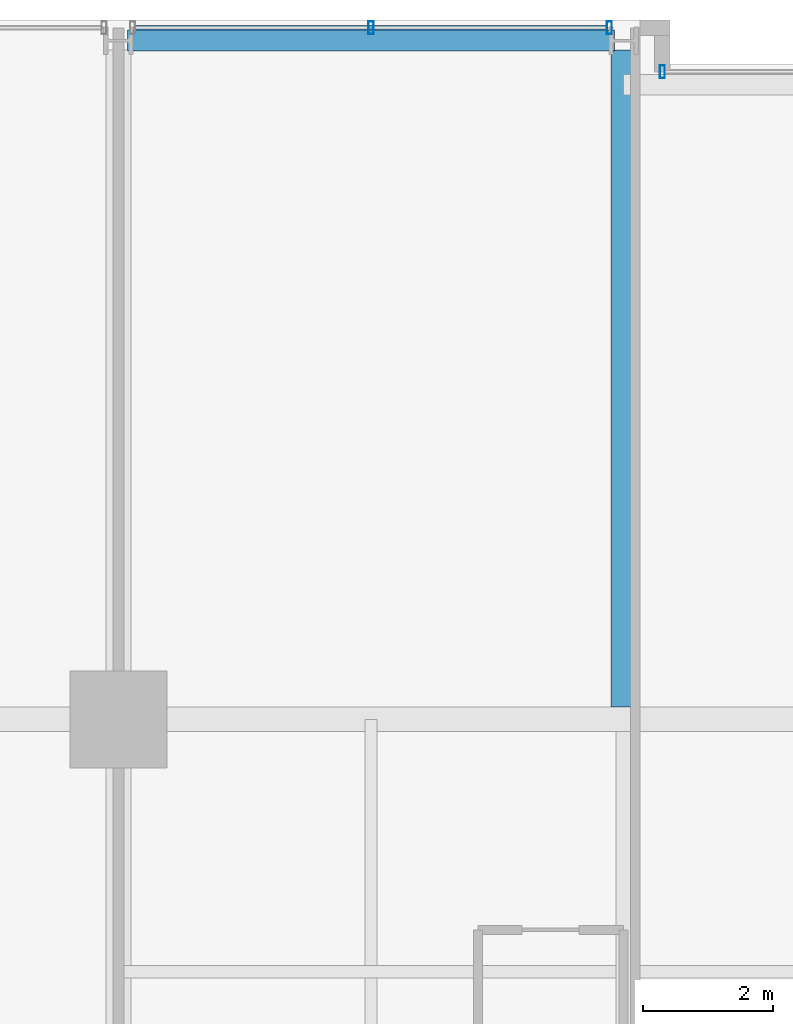
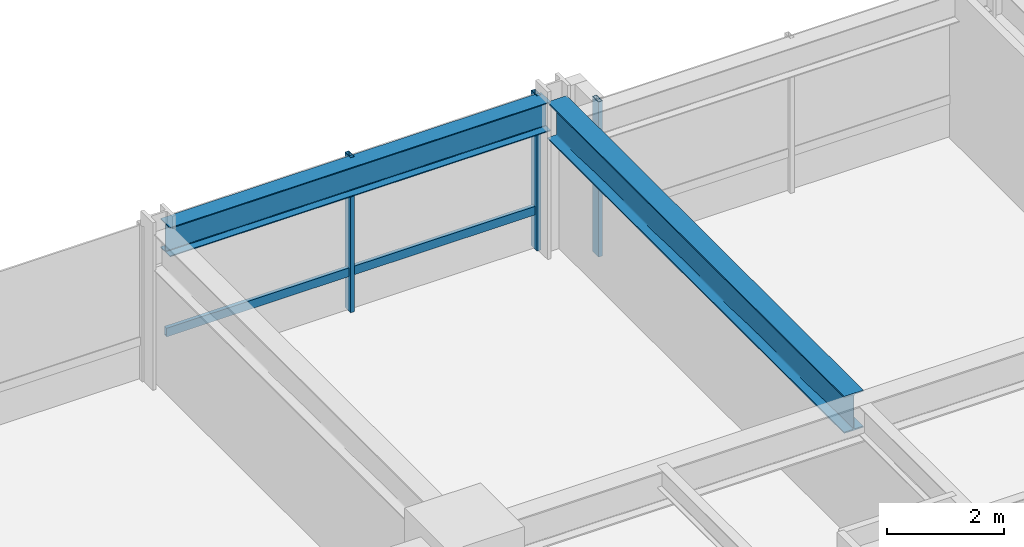
# One storey, part 21 of 34: 4 members, 2 beams, 2 elements without a shape of their own.
"""IFC4 building model written with IfcOpenShell, lengths in metres."""

from ifc_helpers import new_model, si_unit, direction, frame, origin, origin_2d, place, context, subcontext, project, spatial, hollow_rectangle, i_section, extrude, material, layer, layer_set, material_profile, profile_set, type_object, element, aggregate, save


model = new_model("IFC4")

# Units and contexts
model_context = context("Model", 3, precision=1e-05, world=origin(), true_north=direction((0.0, 1.0)))
body_context = subcontext(model_context, "Body", "Model", "MODEL_VIEW")
ifc_project = project(units=[si_unit("LENGTHUNIT", "METRE"), si_unit("AREAUNIT", "SQUARE_METRE"), si_unit("VOLUMEUNIT", "CUBIC_METRE"), si_unit("PLANEANGLEUNIT", "RADIAN"), si_unit("MASSUNIT", "GRAM", prefix="KILO")], contexts=[model_context])

# Site, building, storey
site_placement = place(None, origin())
site = spatial("IfcSite", under=ifc_project, at=site_placement, CompositionType="ELEMENT")
building_placement = place(site_placement, origin())
building = spatial("IfcBuilding", under=site, at=building_placement, Name="Drelvath Grand Hotel", CompositionType="ELEMENT")
storey_placement = place(building_placement, frame((0.0, 0.0, 109.300048828125)))
storey = spatial("IfcBuildingStorey", under=building, at=storey_placement, Name="L27", CompositionType="ELEMENT", Elevation=109.300048828125)

# Curtain wall, members
ifc_material_1 = material(Name="Champagne Bronze Anodised Aluminium Frame", Category="aluminium")
ifc_layer = layer(ifc_material_1, 0.199951171875)
ifc_layer_set = layer_set([ifc_layer], Name="Champagne Bronze Anodised Aluminium Frame")
curtain_wall_type = type_object("IfcCurtainWallType", Name="Stick Curtain Wall CW-03 Champagne Bronze Mid-Rise", PredefinedType="NOTDEFINED", material=ifc_layer_set)
curtain_wall_1_placement = place(storey_placement, origin())
curtain_wall_1 = element("IfcCurtainWall", 1, at=curtain_wall_1_placement, inside=storey, type_object=curtain_wall_type, Name="L27 CW-03 Curtain Wall CW03-L27-NW2", PredefinedType="NOTDEFINED")
ifc_material_profile_1 = material_profile(ifc_material_1, hollow_rectangle(XDim=0.074951171875, YDim=0.179931640625, WallThickness=0.0048828125, at=origin_2d()), Name="HSS180X75X5")
ifc_profile_set_1 = profile_set([ifc_material_profile_1], Name="Champagne Bronze Anodised Aluminium Frame")
member_type_1 = type_object("IfcMemberType", Name="Curtain Wall Horizontal Transom CW-03 HSS180X75X5", PredefinedType="USERDEFINED", material=ifc_profile_set_1)
member_1_placement = place(storey_placement, frame((-15.9404296875, 53.8798828125, 0.81005859375), z_axis=(1.0, 0.0, 0.0), x_axis=(0.0, 1.0, 0.0)))
member_1 = element("IfcMember", 2, at=member_1_placement, type_object=member_type_1, Name="CW03-L27-NW2 Sill Transom", ObjectType="TRANSOM", PredefinedType="USERDEFINED", context=body_context, shape_type="SweptSolid", body=[
    extrude(hollow_rectangle(XDim=0.074951171875, YDim=0.179931640625, WallThickness=0.0048828125, at=origin_2d()), origin(), (0.0, 0.0, 1.0), 7.28076171875),
])
ifc_material_profile_2 = material_profile(ifc_material_1, hollow_rectangle(XDim=0.080078125, YDim=0.199951171875, WallThickness=0.0048828125, at=origin_2d()), Name="HSS200X80X5")
ifc_profile_set_2 = profile_set([ifc_material_profile_2], Name="Champagne Bronze Anodised Aluminium Frame")
member_type_2 = type_object("IfcMemberType", Name="Curtain Wall Vertical Mullion CW-03 HSS200X80X5", PredefinedType="MULLION", material=ifc_profile_set_2)
member_2_placement = place(storey_placement, frame((-12.300048828125, 53.8798828125, 0.0), z_axis=(0.0, 0.0, 1.0), x_axis=(1.0, 0.0, 0.0)))
member_2 = element("IfcMember", 3, at=member_2_placement, type_object=member_type_2, Name="CW03-L27-NW2 Mullion 2", PredefinedType="MULLION", context=body_context, shape_type="SweptSolid", body=[
    extrude(hollow_rectangle(XDim=0.080078125, YDim=0.199951171875, WallThickness=0.0048828125, at=origin_2d()), origin(), (0.0, 0.0, 1.0), 3.239990234375),
])
member_3_placement = place(storey_placement, frame((-8.61962890625, 53.8798828125, 0.0), z_axis=(0.0, 0.0, 1.0), x_axis=(1.0, 0.0, 0.0)))
member_3 = element("IfcMember", 4, at=member_3_placement, type_object=member_type_2, Name="CW03-L27-NW2 Mullion 3", PredefinedType="MULLION", context=body_context, shape_type="SweptSolid", body=[
    extrude(hollow_rectangle(XDim=0.080078125, YDim=0.199951171875, WallThickness=0.0048828125, at=origin_2d()), origin(), (0.0, 0.0, 1.0), 3.239990234375),
])
aggregate(curtain_wall_1, [member_2, member_3, member_1])

# Curtain wall, member
curtain_wall_2_placement = place(storey_placement, origin())
curtain_wall_2 = element("IfcCurtainWall", 5, at=curtain_wall_2_placement, inside=storey, type_object=curtain_wall_type, Name="L27 CW-03 Curtain Wall CW03-L27-NM1", PredefinedType="NOTDEFINED")
member_4_placement = place(storey_placement, frame((-7.800048828125, 53.199951171875, 0.0), z_axis=(0.0, 0.0, 1.0), x_axis=(1.0, 0.0, 0.0)))
member_4 = element("IfcMember", 6, at=member_4_placement, type_object=member_type_2, Name="CW03-L27-NM1 Mullion 1", PredefinedType="MULLION", context=body_context, shape_type="SweptSolid", body=[
    extrude(hollow_rectangle(XDim=0.080078125, YDim=0.199951171875, WallThickness=0.0048828125, at=origin_2d()), origin(), (0.0, 0.0, 1.0), 3.239990234375),
])
aggregate(curtain_wall_2, [member_4])

# Beams
ifc_material_2 = material(Name="Steel ASTM A992 Gr 50", Category="steel")
ifc_material_profile_3 = material_profile(ifc_material_2, i_section(OverallWidth=0.323974609375, OverallDepth=0.611083984375, WebThickness=0.0126953125, FlangeThickness=0.01904296875, FilletRadius=0.02197265625, at=origin_2d()), Name="W24X104")
ifc_profile_set_3 = profile_set([ifc_material_profile_3], Name="Steel ASTM A992 Gr 50")
beam_type_1 = type_object("IfcBeamType", Name="Perimeter Spandrel Beam W24X104", PredefinedType="SPANDREL", material=ifc_profile_set_3)
beam_1_placement = place(storey_placement, frame((-16.06005859375, 53.679931640625, 2.9345703125), z_axis=(1.0, 0.0, 0.0), x_axis=(0.0, 1.0, 0.0)))
element("IfcBeam", 7, at=beam_1_placement, inside=storey, type_object=beam_type_1, Name="L27 Spandrel North W", PredefinedType="SPANDREL", context=body_context, shape_type="SweptSolid", body=[
    extrude(i_section(OverallWidth=0.323974609375, OverallDepth=0.611083984375, WebThickness=0.0126953125, FlangeThickness=0.01904296875, FilletRadius=0.02197265625, at=origin_2d()), origin(), (0.0, 0.0, 1.0), 7.52001953125),
])
ifc_material_profile_4 = material_profile(ifc_material_2, i_section(OverallWidth=0.380615234375, OverallDepth=0.773193359375, WebThickness=0.0166015625, FlangeThickness=0.027099609375, FilletRadius=0.02490234375, at=origin_2d()), Name="W30X173")
ifc_profile_set_4 = profile_set([ifc_material_profile_4], Name="Steel ASTM A992 Gr 50")
beam_type_2 = type_object("IfcBeamType", Name="Primary Floor Girder W30X173", PredefinedType="BEAM", material=ifc_profile_set_4)
beam_2_placement = place(storey_placement, frame((-8.39990234375, 43.390380859375, 2.853271484375), z_axis=(0.0, 1.0, 0.0), x_axis=(-1.0, 0.0, 0.0)))
element("IfcBeam", 8, at=beam_2_placement, inside=storey, type_object=beam_type_2, Name="L27 North Wing Girder 4", PredefinedType="BEAM", context=body_context, shape_type="SweptSolid", body=[
    extrude(i_section(OverallWidth=0.380615234375, OverallDepth=0.773193359375, WebThickness=0.0166015625, FlangeThickness=0.027099609375, FilletRadius=0.02490234375, at=origin_2d()), origin(), (0.0, 0.0, 1.0), 10.149658203125),
])

save(model, "model.ifc")
